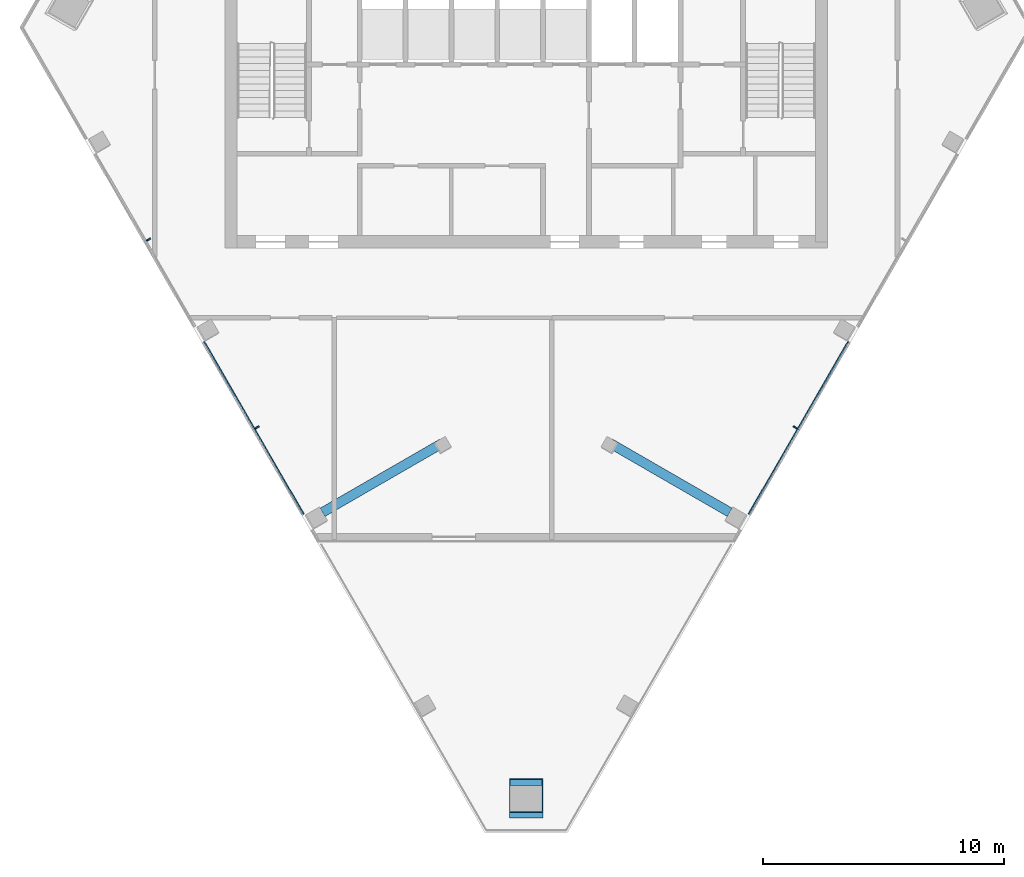
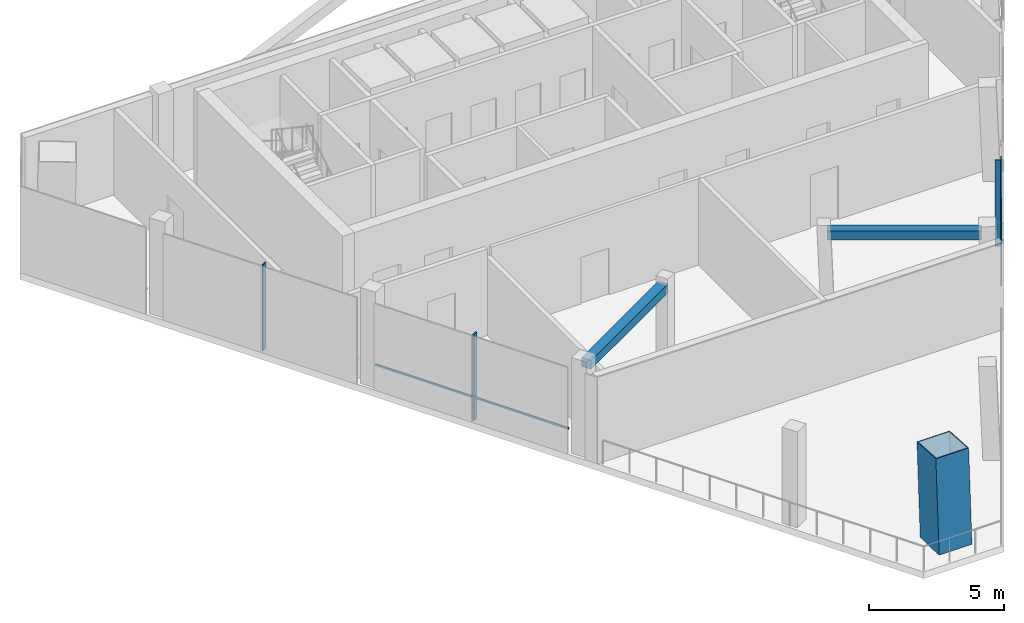
# One storey, part 2 of 8: 6 members, 2 beams, 2 elements without a shape of their own.
"""IFC4 building model written with IfcOpenShell, lengths in metres."""

from ifc_helpers import new_model, si_unit, direction, frame, origin, origin_2d, place, context, subcontext, project, spatial, rectangle, hollow_rectangle, extrude, material, layer, layer_set, material_profile, profile_set, type_object, element, aggregate, save


model = new_model("IFC4")

# Units and contexts
model_context = context("Model", 3, precision=1e-05, world=origin(), true_north=direction((0.0, 1.0)))
body_context = subcontext(model_context, "Body", "Model", "MODEL_VIEW")
ifc_project = project(units=[si_unit("LENGTHUNIT", "METRE"), si_unit("AREAUNIT", "SQUARE_METRE"), si_unit("VOLUMEUNIT", "CUBIC_METRE"), si_unit("PLANEANGLEUNIT", "RADIAN"), si_unit("MASSUNIT", "GRAM", prefix="KILO")], contexts=[model_context])

# Site, building, storey
site_placement = place(None, origin())
site = spatial("IfcSite", under=ifc_project, at=site_placement, CompositionType="ELEMENT")
building_placement = place(site_placement, origin())
building = spatial("IfcBuilding", under=site, at=building_placement, Name="Altiplano Prism Tower", CompositionType="ELEMENT")
storey_placement = place(building_placement, frame((0.0, 0.0, 334.60009765625)))
storey = spatial("IfcBuildingStorey", under=building, at=storey_placement, Name="L87", CompositionType="ELEMENT", Elevation=334.60009765625)

# Curtain wall, members
ifc_material_1 = material(Name="Aluminium and glass", Category="aluminium")
ifc_layer = layer(ifc_material_1, 0.320068359375)
ifc_layer_set = layer_set([ifc_layer], Name="Aluminium and glass")
curtain_wall_type = type_object("IfcCurtainWallType", Name="CW6 louvred plant-floor curtain wall", PredefinedType="NOTDEFINED", material=ifc_layer_set)
curtain_wall_1_placement = place(storey_placement, origin())
curtain_wall_1 = element("IfcCurtainWall", 1, at=curtain_wall_1_placement, inside=storey, type_object=curtain_wall_type, Name="CW6 curtain wall south-west face L87", PredefinedType="NOTDEFINED")
ifc_material_2 = material(Name="Aluminium", Category="aluminium")
ifc_material_profile_1 = material_profile(ifc_material_2, rectangle(XDim=0.199951171875, YDim=0.06005859375, at=origin_2d()), Name="CW6 mullion 60 x 200")
ifc_profile_set_1 = profile_set([ifc_material_profile_1], Name="Aluminium")
member_type_1 = type_object("IfcMemberType", Name="CW6 mullion 60 x 200", PredefinedType="MULLION", material=ifc_profile_set_1)
member_1_placement = place(storey_placement, frame((69.338623046875, 93.2421875, 0.0), z_axis=(0.0, 0.0, 1.0), x_axis=(0.866025398583, 0.500000009009, 0.0)))
member_1 = element("IfcMember", 2, at=member_1_placement, type_object=member_type_1, Name="CW6 mullion", PredefinedType="MULLION", context=body_context, shape_type="SweptSolid", body=[
    extrude(rectangle(XDim=0.199951171875, YDim=0.06005859375, at=origin_2d()), origin(), (0.0, 0.0, 1.0), 3.89990234375),
])
member_2_placement = place(storey_placement, frame((73.838623046875, 85.447998046875, 0.0), z_axis=(0.0, 0.0, 1.0), x_axis=(0.866025398583, 0.500000009009, 0.0)))
member_2 = element("IfcMember", 3, at=member_2_placement, type_object=member_type_1, Name="CW6 mullion", PredefinedType="MULLION", context=body_context, shape_type="SweptSolid", body=[
    extrude(rectangle(XDim=0.199951171875, YDim=0.06005859375, at=origin_2d()), origin(), (0.0, 0.0, 1.0), 3.89990234375),
])

# Curtain wall, member
curtain_wall_2_placement = place(storey_placement, origin())
curtain_wall_2 = element("IfcCurtainWall", 4, at=curtain_wall_2_placement, inside=storey, type_object=curtain_wall_type, Name="CW6 curtain wall south-east face L87", PredefinedType="NOTDEFINED")
member_3_placement = place(storey_placement, frame((96.161376953125, 85.447998046875, 0.0), z_axis=(0.0, 0.0, 1.0), x_axis=(-0.866025398583, 0.500000009009, 0.0)))
member_3 = element("IfcMember", 5, at=member_3_placement, type_object=member_type_1, Name="CW6 mullion", PredefinedType="MULLION", context=body_context, shape_type="SweptSolid", body=[
    extrude(rectangle(XDim=0.199951171875, YDim=0.06005859375, at=origin_2d()), origin(), (0.0, 0.0, 1.0), 3.89990234375),
])

# Member
ifc_material_profile_2 = material_profile(ifc_material_2, rectangle(XDim=0.06005859375, YDim=0.080078125, at=origin_2d()), Name="CW6 transom 80 x 60")
ifc_profile_set_2 = profile_set([ifc_material_profile_2], Name="Aluminium")
member_type_2 = type_object("IfcMemberType", Name="CW6 transom 80 x 60", PredefinedType="USERDEFINED", material=ifc_profile_set_2)
member_4_placement = place(storey_placement, frame((71.638916015625, 88.998291015625, 1.099853515625), z_axis=(0.499990359933, -0.866030969408, 0.0), x_axis=(0.866030969408, 0.499990359933, 0.0)))
member_4 = element("IfcMember", 6, at=member_4_placement, type_object=member_type_2, Name="CW6 transom", ObjectType="TRANSOM", PredefinedType="USERDEFINED", context=body_context, shape_type="SweptSolid", body=[
    extrude(rectangle(XDim=0.06005859375, YDim=0.080078125, at=origin_2d()), origin(), (0.0, 0.0, 1.0), 8.256591796875),
])

aggregate(curtain_wall_1, [member_1, member_2, member_4])

member_5_placement = place(storey_placement, frame((94.23291015625, 81.847900390625, 1.099853515625), z_axis=(0.499990359933, 0.866030969408, 0.0), x_axis=(-0.866030969408, 0.499990359933, 0.0)))
member_5 = element("IfcMember", 7, at=member_5_placement, type_object=member_type_2, Name="CW6 transom", ObjectType="TRANSOM", PredefinedType="USERDEFINED", context=body_context, shape_type="SweptSolid", body=[
    extrude(rectangle(XDim=0.06005859375, YDim=0.080078125, at=origin_2d()), origin(), (0.0, 0.0, 1.0), 8.256591796875),
])

aggregate(curtain_wall_2, [member_3, member_5])

ifc_material_3 = material(Name="Steel S460", Category="steel")
ifc_material_profile_3 = material_profile(ifc_material_3, hollow_rectangle(XDim=1.39990234375, YDim=1.39990234375, WallThickness=0.0400390625, at=origin_2d()), Name="Mega column tube 1400")
ifc_profile_set_3 = profile_set([ifc_material_profile_3], Name="Steel S460")
member_type_3 = type_object("IfcMemberType", Name="Mega column tube 1400", PredefinedType="POST", material=ifc_profile_set_3)
member_6_placement = place(storey_placement, frame((85.0, 69.940673828125, 0.0), z_axis=(0.0, 0.058378439327, 0.998294524588), x_axis=(-1.0, 0.0, 0.0)))
element("IfcMember", 8, at=member_6_placement, inside=storey, type_object=member_type_3, Name="Mega column tube M1 L87", PredefinedType="POST", context=body_context, shape_type="SweptSolid", body=[
    extrude(hollow_rectangle(XDim=1.39990234375, YDim=1.39990234375, WallThickness=0.0400390625, at=origin_2d()), origin(), (0.0, 0.0, 1.0), 4.20703125),
])

# Beams
ifc_material_4 = material(Name="Concrete C60/75", Category="concrete")
ifc_material_profile_4 = material_profile(ifc_material_4, rectangle(XDim=0.39990234375, YDim=0.39990234375, at=origin_2d()), Name="Tie beam 400x400")
ifc_profile_set_4 = profile_set([ifc_material_profile_4], Name="Concrete C60/75")
beam_type = type_object("IfcBeamType", Name="Tie beam 400x400", PredefinedType="BEAM", material=ifc_profile_set_4)
for number, where, z_axis, x_axis, name in (
    (9, (81.508056640625, 84.78759765625, 3.699951171875), (-0.866018411832, -0.50001211022, 0.0), (0.50001211022, -0.866018411832, 0.0), "Tie beam I13 L88"),
    (10, (88.491943359375, 84.78759765625, 3.699951171875), (0.866018411832, -0.50001211022, 0.0), (0.50001211022, 0.866018411832, 0.0), "Tie beam I22 L88"),
):
    element("IfcBeam", number, at=place(storey_placement, frame(where, z_axis=z_axis, x_axis=x_axis)), inside=storey, type_object=beam_type, Name=name, PredefinedType="BEAM", context=body_context, shape_type="SweptSolid", body=[
        extrude(rectangle(XDim=0.39990234375, YDim=0.39990234375, at=origin_2d()), origin(), (0.0, 0.0, 1.0), 5.715087890625),
    ])

save(model, "model.ifc")
